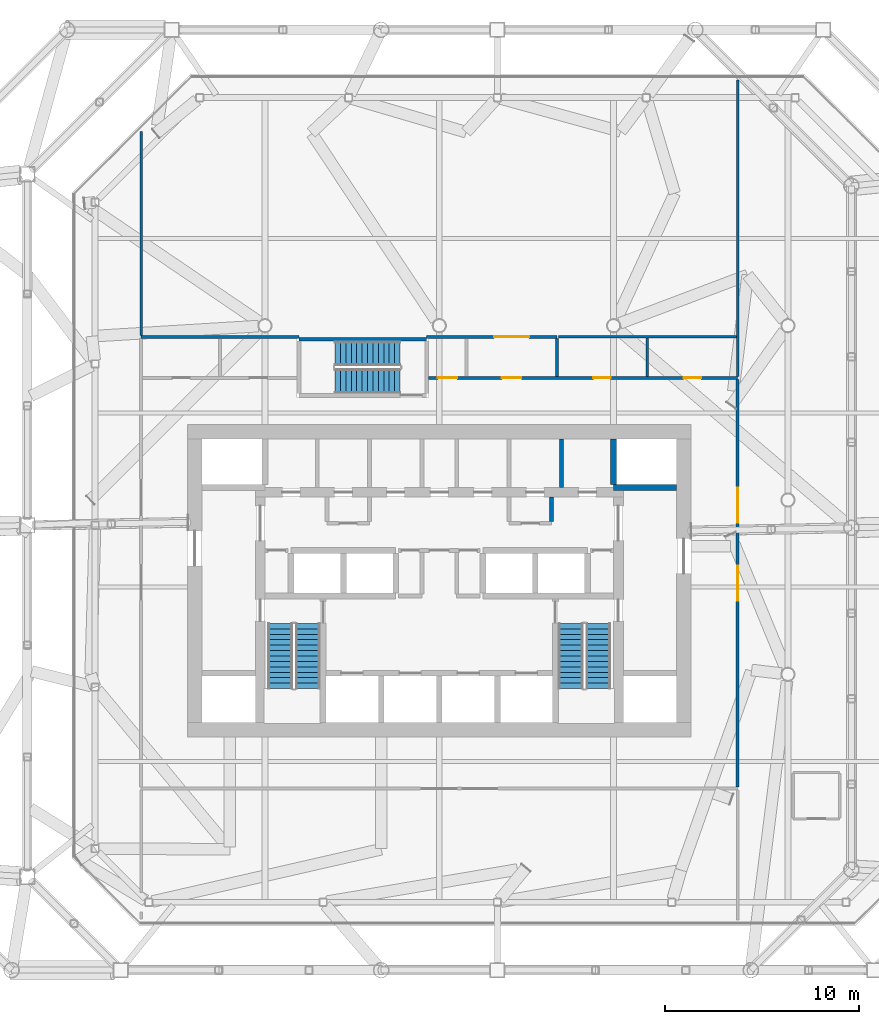
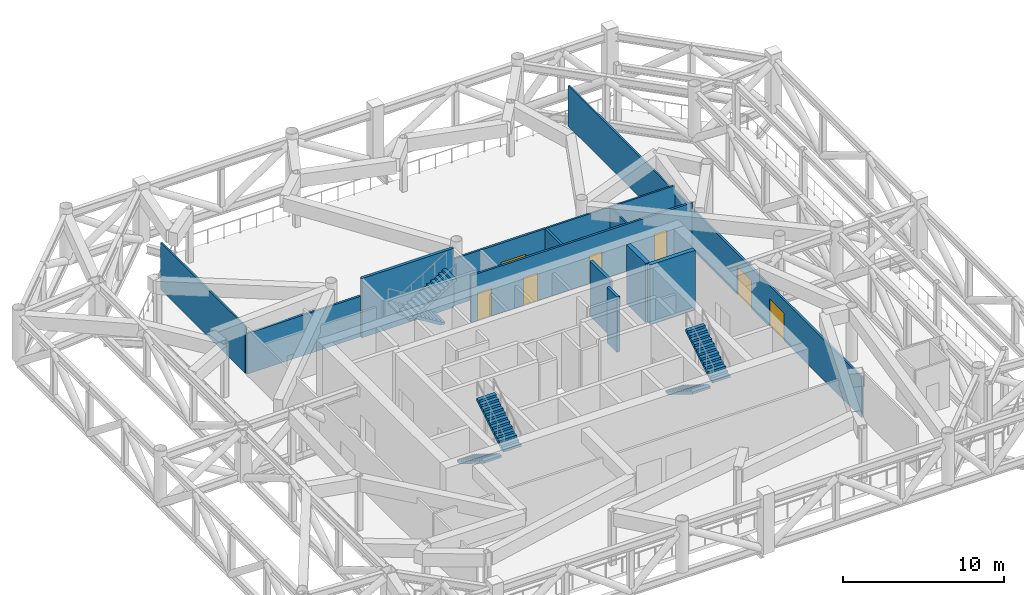
# One storey, part 15 of 21: 14 walls, 7 doors, 6 stair flights, 7 openings, 3 elements without a shape of their own.
"""IFC4 building model written with IfcOpenShell, lengths in metres."""

from ifc_helpers import new_model, si_unit, direction, frame, frame_2d, origin, place, context, subcontext, project, spatial, polyline, rectangle, outline, extrude, material, layer, layer_set, type_object, element, fill, aggregate, save


model = new_model("IFC4")

# Units and contexts
model_context = context("Model", 3, precision=1e-05, world=origin(), true_north=direction((0.0, 1.0)))
body_context = subcontext(model_context, "Body", "Model", "MODEL_VIEW")
ifc_project = project(units=[si_unit("LENGTHUNIT", "METRE"), si_unit("AREAUNIT", "SQUARE_METRE"), si_unit("VOLUMEUNIT", "CUBIC_METRE"), si_unit("PLANEANGLEUNIT", "RADIAN"), si_unit("MASSUNIT", "GRAM", prefix="KILO")], contexts=[model_context])

# Site, building, storey
site_placement = place(None, origin())
site = spatial("IfcSite", under=ifc_project, at=site_placement, CompositionType="ELEMENT")
building_placement = place(site_placement, origin())
building = spatial("IfcBuilding", under=site, at=building_placement, Name="Tskaro Facet Tower", CompositionType="ELEMENT")
storey_placement = place(building_placement, frame((0.0, 0.0, 167.699951171875)))
storey = spatial("IfcBuildingStorey", under=building, at=storey_placement, Name="L41", CompositionType="ELEMENT", Elevation=167.699951171875)

# Walls
ifc_material_1 = material(Name="Concrete C60/75", Category="concrete")
ifc_layer_1 = layer(ifc_material_1, 0.300048828125, Name="Concrete C60/75")
ifc_layer_set_1 = layer_set([ifc_layer_1], Name="Concrete C60/75")
wall_type_1 = type_object("IfcWallType", Name="CORE-SHAFT", PredefinedType="SHEAR", material=ifc_layer_set_1)
wall_1_placement = place(storey_placement, frame((12.25, 0.64990234375, 0.0), z_axis=(0.0, 0.0, 1.0), x_axis=(-1.0, 0.0, 0.0)))
element("IfcWall", 1, at=wall_1_placement, inside=storey, type_object=wall_type_1, Name="Shaft wall W019", PredefinedType="SHEAR", context=body_context, shape_type="SweptSolid", body=[
    extrude(rectangle(XDim=3.25, YDim=0.300048828125, at=frame_2d((1.625, 0.0))), origin(), (0.0, 0.0, 1.0), 4.5),
])
wall_2_placement = place(storey_placement, frame((9.0, 0.800048828125, 0.0), z_axis=(0.0, 0.0, 1.0), x_axis=(0.0, 1.0, 0.0)))
element("IfcWall", 2, at=wall_2_placement, inside=storey, type_object=wall_type_1, Name="Shaft wall W060", PredefinedType="SHEAR", context=body_context, shape_type="SweptSolid", body=[
    extrude(rectangle(XDim=2.349853515625, YDim=0.300048828125, at=frame_2d((1.1748046875, 0.0))), origin(), (0.0, 0.0, 1.0), 4.5),
])
ifc_material_2 = material(Name="Concrete C20/25", Category="concrete")
ifc_layer_2 = layer(ifc_material_2, 0.199951171875, Name="Concrete C20/25")
ifc_layer_set_2 = layer_set([ifc_layer_2], Name="Concrete C20/25")
wall_type_2 = type_object("IfcWallType", Name="CORE-WALL", PredefinedType="SOLIDWALL", material=ifc_layer_set_2)
wall_3_placement = place(storey_placement, frame((5.800048828125, -1.10009765625, 0.0), z_axis=(0.0, 0.0, 1.0), x_axis=(0.0, 1.0, 0.0)))
element("IfcWall", 3, at=wall_3_placement, inside=storey, type_object=wall_type_2, Name="Core room wall W055", PredefinedType="SOLIDWALL", context=body_context, shape_type="SweptSolid", body=[
    extrude(rectangle(XDim=1.25, YDim=0.199951171875, at=frame_2d((0.625, 0.0))), origin(), (0.0, 0.0, 1.0), 4.199951171875),
])
wall_4_placement = place(storey_placement, frame((6.300048828125, 0.64990234375, 0.0), z_axis=(0.0, 0.0, 1.0), x_axis=(0.0, 1.0, 0.0)))
element("IfcWall", 4, at=wall_4_placement, inside=storey, type_object=wall_type_2, Name="Core room wall W058", PredefinedType="SOLIDWALL", context=body_context, shape_type="SweptSolid", body=[
    extrude(rectangle(XDim=2.5, YDim=0.199951171875, at=frame_2d((1.25, 0.0))), origin(), (0.0, 0.0, 1.0), 4.199951171875),
])
ifc_material_3 = material(Name="Gypsum board on steel studs", Category="steel")
ifc_layer_3 = layer(ifc_material_3, 0.125, Name="Gypsum board on steel studs")
ifc_layer_set_3 = layer_set([ifc_layer_3], Name="Gypsum board on steel studs")
wall_type_3 = type_object("IfcWallType", Name="PART", PredefinedType="PARTITIONING", material=ifc_layer_set_3)
wall_5_placement = place(storey_placement, frame((6.14208984375, 8.425048828125, 0.0), z_axis=(0.0, 0.0, 1.0), x_axis=(1.0, 0.0, 0.0)))
element("IfcWall", 5, at=wall_5_placement, inside=storey, type_object=wall_type_3, Name="Partition W026", PredefinedType="PARTITIONING", context=body_context, shape_type="SweptSolid", body=[
    extrude(rectangle(XDim=9.1953125, YDim=0.125, at=frame_2d((4.59765625, 0.0))), origin(), (0.0, 0.0, 1.0), 3.56005859375),
])
wall_6_placement = place(storey_placement, frame((-15.39990234375, 8.5, 0.0), z_axis=(0.0, 0.0, 1.0), x_axis=(0.0, 1.0, 0.0)))
element("IfcWall", 6, at=wall_6_placement, inside=storey, type_object=wall_type_3, Name="Partition W030", PredefinedType="PARTITIONING", context=body_context, shape_type="SweptSolid", body=[
    extrude(rectangle(XDim=10.514892578125, YDim=0.125, at=frame_2d((5.25732421875, 0.0))), origin(), (0.0, 0.0, 1.0), 3.56005859375),
])
wall_7_placement = place(storey_placement, frame((10.73291015625, 6.375, 0.0), z_axis=(0.0, 0.0, 1.0), x_axis=(0.0, 1.0, 0.0)))
element("IfcWall", 7, at=wall_7_placement, inside=storey, type_object=wall_type_3, Name="Partition W061", PredefinedType="PARTITIONING", context=body_context, shape_type="SweptSolid", body=[
    extrude(rectangle(XDim=1.987548828125, YDim=0.125, at=frame_2d((0.99365234375, 0.0))), origin(), (0.0, 0.0, 1.0), 3.56005859375),
])
wall_8_placement = place(storey_placement, frame((15.39990234375, 6.375, 0.0), z_axis=(0.0, 0.0, 1.0), x_axis=(0.0, 1.0, 0.0)))
element("IfcWall", 8, at=wall_8_placement, inside=storey, type_object=wall_type_3, Name="Partition W064", PredefinedType="PARTITIONING", context=body_context, shape_type="SweptSolid", body=[
    extrude(rectangle(XDim=15.299072265625, YDim=0.125, at=frame_2d((7.6494140625, 0.0))), origin(), (0.0, 0.0, 1.0), 3.080078125),
])

# Wall, openings, doors
ifc_layer_4 = layer(ifc_material_3, 0.14990234375, Name="Gypsum board on steel studs")
ifc_layer_set_4 = layer_set([ifc_layer_4], Name="Gypsum board on steel studs")
wall_type_4 = type_object("IfcWallType", Name="PART-CORR", PredefinedType="PARTITIONING", material=ifc_layer_set_4)
wall_9_placement = place(storey_placement, frame((15.39990234375, 6.300048828125, 0.0), z_axis=(0.0, 0.0, 1.0), x_axis=(-1.0, 0.0, 0.0)))
wall_9 = element("IfcWall", 9, at=wall_9_placement, inside=storey, type_object=wall_type_4, Name="Corridor wall W022", PredefinedType="PARTITIONING", context=body_context, shape_type="SweptSolid", body=[
    extrude(rectangle(XDim=15.949951171875, YDim=0.14990234375, at=frame_2d((7.97509765625, 0.0))), origin(), (0.0, 0.0, 1.0), 3.56005859375),
])
opening_1_placement = place(wall_9_placement, frame((11.16650390625, 0.0, 0.0)))
opening_1 = element("IfcOpeningElement", 10, at=opening_1_placement, cuts=wall_9, Name="Opening R41-D32", PredefinedType="OPENING", context=body_context, shape_type="SweptSolid", body=[
    extrude(rectangle(XDim=1.0, YDim=2.10009765625, at=frame_2d((0.5, 1.050048828125))), frame((0.0, 0.0849609375, 0.0), z_axis=(0.0, -1.0, 0.0), x_axis=(1.0, 0.0, 0.0)), (0.0, 0.0, 1.0), 0.169921875),
])
opening_2_placement = place(wall_9_placement, frame((14.47509765625, 0.0, 0.0)))
opening_2 = element("IfcOpeningElement", 11, at=opening_2_placement, cuts=wall_9, Name="Opening R41-D31", PredefinedType="OPENING", context=body_context, shape_type="SweptSolid", body=[
    extrude(rectangle(XDim=1.0, YDim=2.10009765625, at=frame_2d((0.5, 1.050048828125))), frame((0.0, 0.0849609375, 0.0), z_axis=(0.0, -1.0, 0.0), x_axis=(1.0, 0.0, 0.0)), (0.0, 0.0, 1.0), 0.169921875),
])
opening_3_placement = place(wall_9_placement, frame((6.550048828125, 0.0, 0.0)))
opening_3 = element("IfcOpeningElement", 12, at=opening_3_placement, cuts=wall_9, Name="Opening R41-D33", PredefinedType="OPENING", context=body_context, shape_type="SweptSolid", body=[
    extrude(rectangle(XDim=0.89990234375, YDim=2.10009765625, at=frame_2d((0.449951171875, 1.050048828125))), frame((0.0, 0.0849609375, 0.0), z_axis=(0.0, -1.0, 0.0), x_axis=(1.0, 0.0, 0.0)), (0.0, 0.0, 1.0), 0.169921875),
])
opening_4_placement = place(wall_9_placement, frame((1.883544921875, 0.0, 0.0)))
opening_4 = element("IfcOpeningElement", 13, at=opening_4_placement, cuts=wall_9, Name="Opening R41-D34", PredefinedType="OPENING", context=body_context, shape_type="SweptSolid", body=[
    extrude(rectangle(XDim=0.89990234375, YDim=2.10009765625, at=frame_2d((0.449951171875, 1.050048828125))), frame((0.0, 0.0849609375, 0.0), z_axis=(0.0, -1.0, 0.0), x_axis=(1.0, 0.0, 0.0)), (0.0, 0.0, 1.0), 0.169921875),
])
ifc_material_4 = material(Name="Timber", Category="wood")
door_type_1 = type_object("IfcDoorType", Name="D-ENTRY", OperationType="NOTDEFINED", PredefinedType="DOOR", material=ifc_material_4)
door_1_placement = place(opening_1_placement, origin())
door_1 = element("IfcDoor", 14, at=door_1_placement, inside=storey, type_object=door_type_1, Name="Door R41-D32", OperationType="SINGLE_SWING_RIGHT", OverallHeight=2.10009765625, OverallWidth=1.0, PredefinedType="DOOR", context=body_context, shape_type="SweptSolid", body=[
    extrude(rectangle(XDim=1.0, YDim=2.10009765625, at=frame_2d((0.5, 1.050048828125))), frame((0.0, 0.02490234375, 0.0), z_axis=(0.0, -1.0, 0.0), x_axis=(1.0, 0.0, 0.0)), (0.0, 0.0, 1.0), 0.050048828125),
])
fill(opening_1, door_1)
door_type_2 = type_object("IfcDoorType", Name="D-ROOM", OperationType="NOTDEFINED", PredefinedType="DOOR", material=ifc_material_4)
door_2_placement = place(opening_3_placement, origin())
door_2 = element("IfcDoor", 15, at=door_2_placement, inside=storey, type_object=door_type_2, Name="Door R41-D33", OperationType="SINGLE_SWING_RIGHT", OverallHeight=2.10009765625, OverallWidth=0.89990234375, PredefinedType="DOOR", context=body_context, shape_type="SweptSolid", body=[
    extrude(rectangle(XDim=0.89990234375, YDim=2.10009765625, at=frame_2d((0.449951171875, 1.050048828125))), frame((0.0, 0.02490234375, 0.0), z_axis=(0.0, -1.0, 0.0), x_axis=(1.0, 0.0, 0.0)), (0.0, 0.0, 1.0), 0.050048828125),
])
fill(opening_3, door_2)
door_3_placement = place(opening_4_placement, origin())
door_3 = element("IfcDoor", 16, at=door_3_placement, inside=storey, type_object=door_type_2, Name="Door R41-D34", OperationType="SINGLE_SWING_RIGHT", OverallHeight=2.10009765625, OverallWidth=0.89990234375, PredefinedType="DOOR", context=body_context, shape_type="SweptSolid", body=[
    extrude(rectangle(XDim=0.89990234375, YDim=2.10009765625, at=frame_2d((0.449951171875, 1.050048828125))), frame((0.0, 0.02490234375, 0.0), z_axis=(0.0, -1.0, 0.0), x_axis=(1.0, 0.0, 0.0)), (0.0, 0.0, 1.0), 0.050048828125),
])
fill(opening_4, door_3)
door_type_3 = type_object("IfcDoorType", Name="D-ROOM-WIDE", OperationType="NOTDEFINED", PredefinedType="DOOR", material=ifc_material_4)
door_4_placement = place(opening_2_placement, origin())
door_4 = element("IfcDoor", 17, at=door_4_placement, inside=storey, type_object=door_type_3, Name="Door R41-D31", OperationType="SINGLE_SWING_RIGHT", OverallHeight=2.10009765625, OverallWidth=1.0, PredefinedType="DOOR", context=body_context, shape_type="SweptSolid", body=[
    extrude(rectangle(XDim=1.0, YDim=2.10009765625, at=frame_2d((0.5, 1.050048828125))), frame((0.0, 0.02490234375, 0.0), z_axis=(0.0, -1.0, 0.0), x_axis=(1.0, 0.0, 0.0)), (0.0, 0.0, 1.0), 0.050048828125),
])
fill(opening_2, door_4)

# Wall
wall_10_placement = place(storey_placement, frame((-15.39990234375, 8.425048828125, 0.0), z_axis=(0.0, 0.0, 1.0), x_axis=(1.0, 0.0, 0.0)))
element("IfcWall", 18, at=wall_10_placement, inside=storey, type_object=wall_type_4, Name="Corridor wall W024", PredefinedType="PARTITIONING", context=body_context, shape_type="SweptSolid", body=[
    extrude(rectangle(XDim=8.14990234375, YDim=0.14990234375, at=frame_2d((4.074951171875, 0.0))), origin(), (0.0, 0.0, 1.0), 3.080078125),
])

# Wall, opening, door
wall_11_placement = place(storey_placement, frame((-0.64990234375, 8.425048828125, 0.0), z_axis=(0.0, 0.0, 1.0), x_axis=(1.0, 0.0, 0.0)))
wall_11 = element("IfcWall", 19, at=wall_11_placement, inside=storey, type_object=wall_type_4, Name="Corridor wall W025", PredefinedType="PARTITIONING", context=body_context, shape_type="SweptSolid", body=[
    extrude(rectangle(XDim=6.716796875, YDim=0.14990234375, at=frame_2d((3.3583984375, 0.0))), origin(), (0.0, 0.0, 1.0), 3.56005859375),
])
opening_5_placement = place(wall_11_placement, frame((3.4833984375, 0.0, 0.0)))
opening_5 = element("IfcOpeningElement", 20, at=opening_5_placement, cuts=wall_11, Name="Opening R41-D35", PredefinedType="OPENING", context=body_context, shape_type="SweptSolid", body=[
    extrude(rectangle(XDim=1.800048828125, YDim=2.10009765625, at=frame_2d((0.89990234375, 1.050048828125))), frame((0.0, 0.0849609375, 0.0), z_axis=(0.0, -1.0, 0.0), x_axis=(1.0, 0.0, 0.0)), (0.0, 0.0, 1.0), 0.169921875),
])
ifc_material_5 = material(Name="Glass", Category="glass")
door_type_4 = type_object("IfcDoorType", Name="D-ENTRY-PAIR", OperationType="NOTDEFINED", PredefinedType="DOOR", material=ifc_material_5)
door_5_placement = place(opening_5_placement, origin())
door_5 = element("IfcDoor", 21, at=door_5_placement, inside=storey, type_object=door_type_4, Name="Door R41-D35", OperationType="DOUBLE_DOOR_SINGLE_SWING", OverallHeight=2.10009765625, OverallWidth=1.800048828125, PredefinedType="DOOR", context=body_context, shape_type="SweptSolid", body=[
    extrude(rectangle(XDim=1.800048828125, YDim=2.10009765625, at=frame_2d((0.89990234375, 1.050048828125))), frame((0.0, 0.02490234375, 0.0), z_axis=(0.0, -1.0, 0.0), x_axis=(1.0, 0.0, 0.0)), (0.0, 0.0, 1.0), 0.050048828125),
])
fill(opening_5, door_5)

# Wall
wall_12_placement = place(storey_placement, frame((6.06689453125, 6.375, 0.0), z_axis=(0.0, 0.0, 1.0), x_axis=(0.0, 1.0, 0.0)))
element("IfcWall", 22, at=wall_12_placement, inside=storey, type_object=wall_type_4, Name="Corridor wall W057", PredefinedType="PARTITIONING", context=body_context, shape_type="SweptSolid", body=[
    extrude(rectangle(XDim=1.97509765625, YDim=0.14990234375, at=frame_2d((0.987548828125, 0.0))), origin(), (0.0, 0.0, 1.0), 3.56005859375),
])

# Wall, openings, doors
wall_13_placement = place(storey_placement, frame((15.39990234375, -14.824951171875, 0.0), z_axis=(0.0, 0.0, 1.0), x_axis=(0.0, 1.0, 0.0)))
wall_13 = element("IfcWall", 23, at=wall_13_placement, inside=storey, type_object=wall_type_4, Name="Corridor wall W063", PredefinedType="PARTITIONING", context=body_context, shape_type="SweptSolid", body=[
    extrude(rectangle(XDim=21.050048828125, YDim=0.14990234375, at=frame_2d((10.52490234375, 0.0))), origin(), (0.0, 0.0, 1.0), 3.080078125),
])
opening_6_placement = place(wall_13_placement, frame((9.625, 0.0, 0.0)))
opening_6 = element("IfcOpeningElement", 24, at=opening_6_placement, cuts=wall_13, Name="Opening R41-D06", PredefinedType="OPENING", context=body_context, shape_type="SweptSolid", body=[
    extrude(rectangle(XDim=1.800048828125, YDim=2.10009765625, at=frame_2d((0.89990234375, 1.050048828125))), frame((0.0, 0.0849609375, 0.0), z_axis=(0.0, -1.0, 0.0), x_axis=(1.0, 0.0, 0.0)), (0.0, 0.0, 1.0), 0.169921875),
])
opening_7_placement = place(wall_13_placement, frame((13.64990234375, 0.0, 0.0)))
opening_7 = element("IfcOpeningElement", 25, at=opening_7_placement, cuts=wall_13, Name="Opening R41-D12", PredefinedType="OPENING", context=body_context, shape_type="SweptSolid", body=[
    extrude(rectangle(XDim=1.800048828125, YDim=2.10009765625, at=frame_2d((0.89990234375, 1.050048828125))), frame((0.0, 0.0849609375, 0.0), z_axis=(0.0, -1.0, 0.0), x_axis=(1.0, 0.0, 0.0)), (0.0, 0.0, 1.0), 0.169921875),
])
door_6_placement = place(opening_6_placement, origin())
door_6 = element("IfcDoor", 26, at=door_6_placement, inside=storey, type_object=door_type_4, Name="Door R41-D06", OperationType="DOUBLE_DOOR_SINGLE_SWING", OverallHeight=2.10009765625, OverallWidth=1.800048828125, PredefinedType="DOOR", context=body_context, shape_type="SweptSolid", body=[
    extrude(rectangle(XDim=1.800048828125, YDim=2.10009765625, at=frame_2d((0.89990234375, 1.050048828125))), frame((0.0, 0.02490234375, 0.0), z_axis=(0.0, -1.0, 0.0), x_axis=(1.0, 0.0, 0.0)), (0.0, 0.0, 1.0), 0.050048828125),
])
fill(opening_6, door_6)
door_7_placement = place(opening_7_placement, origin())
door_7 = element("IfcDoor", 27, at=door_7_placement, inside=storey, type_object=door_type_4, Name="Door R41-D12", OperationType="DOUBLE_DOOR_SINGLE_SWING", OverallHeight=2.10009765625, OverallWidth=1.800048828125, PredefinedType="DOOR", context=body_context, shape_type="SweptSolid", body=[
    extrude(rectangle(XDim=1.800048828125, YDim=2.10009765625, at=frame_2d((0.89990234375, 1.050048828125))), frame((0.0, 0.02490234375, 0.0), z_axis=(0.0, -1.0, 0.0), x_axis=(1.0, 0.0, 0.0)), (0.0, 0.0, 1.0), 0.050048828125),
])
fill(opening_7, door_7)

# Wall
ifc_layer_5 = layer(ifc_material_1, 0.199951171875, Name="Concrete C60/75")
ifc_layer_set_5 = layer_set([ifc_layer_5], Name="Concrete C60/75")
wall_type_5 = type_object("IfcWallType", Name="STAIR-WALL", PredefinedType="SHEAR", material=ifc_layer_set_5)
wall_14_placement = place(storey_placement, frame((-7.25, 8.300048828125, 0.0), z_axis=(0.0, 0.0, 1.0), x_axis=(1.0, 0.0, 0.0)))
element("IfcWall", 28, at=wall_14_placement, inside=storey, type_object=wall_type_5, Name="Stair wall W023", PredefinedType="SHEAR", context=body_context, shape_type="SweptSolid", body=[
    extrude(rectangle(XDim=6.60009765625, YDim=0.199951171875, at=frame_2d((3.300048828125, 0.0))), origin(), (0.0, 0.0, 1.0), 4.5),
])

# Stair, stair flights
ifc_material_6 = material(Name="Concrete C40/50", Category="concrete")
stair_type = type_object("IfcStairType", Name="ST-TWR", PredefinedType="HALF_TURN_STAIR", material=ifc_material_6)
stair_1_placement = place(storey_placement, origin())
stair_1 = element("IfcStair", 29, at=stair_1_placement, inside=storey, type_object=stair_type, Name="L41 Exit stair 1", PredefinedType="HALF_TURN_STAIR")
stair_flight_type = type_object("IfcStairFlightType", Name="SFL-RC", PredefinedType="STRAIGHT", material=ifc_material_6)
stair_flight_1_placement = place(storey_placement, frame((-8.21240234375, -6.375, 0.0), z_axis=(0.0, 0.0, 1.0), x_axis=(0.0, -1.0, 0.0)))
stair_flight_1 = element("IfcStairFlight", 30, at=stair_flight_1_placement, type_object=stair_flight_type, Name="ST-1 flight 1", NumberOfRisers=13, NumberOfTreads=12, PredefinedType="STRAIGHT", RiserHeight=0.173076923, TreadLength=0.28, context=body_context, shape_type="SweptSolid", body=[
    extrude(outline(polyline([(0.0, 0.0), (0.0, 0.173095703125), (0.280029296875, 0.173095703125), (0.280029296875, 0.34619140625), (0.56005859375, 0.34619140625), (0.56005859375, 0.519287109375), (0.840087890625, 0.519287109375), (0.840087890625, 0.6923828125), (1.1201171875, 0.6923828125), (1.1201171875, 0.865478515625), (1.39990234375, 0.865478515625), (1.39990234375, 1.03857421875), (1.679931640625, 1.03857421875), (1.679931640625, 1.21142578125), (1.9599609375, 1.21142578125), (1.9599609375, 1.384521484375), (2.239990234375, 1.384521484375), (2.239990234375, 1.5576171875), (2.52001953125, 1.5576171875), (2.52001953125, 1.730712890625), (2.800048828125, 1.730712890625), (2.800048828125, 1.90380859375), (3.080078125, 1.90380859375), (3.080078125, 2.076904296875), (3.360107421875, 2.076904296875), (3.360107421875, 2.25), (3.360107421875, 1.900634765625), (0.28515625, 0.0), (0.0, 0.0)])), frame((0.0, 0.637451171875, 0.0), z_axis=(0.0, -1.0, 0.0), x_axis=(1.0, 0.0, 0.0)), (0.0, 0.0, 1.0), 1.27490234375),
])
stair_flight_2_placement = place(storey_placement, frame((-6.78759765625, -9.735107421875, 2.25), z_axis=(0.0, 0.0, 1.0), x_axis=(0.0, 1.0, 0.0)))
stair_flight_2 = element("IfcStairFlight", 31, at=stair_flight_2_placement, type_object=stair_flight_type, Name="ST-1 flight 2", NumberOfRisers=13, NumberOfTreads=12, PredefinedType="STRAIGHT", RiserHeight=0.173076923, TreadLength=0.28, context=body_context, shape_type="SweptSolid", body=[
    extrude(outline(polyline([(0.0, 0.0), (0.0, 0.173095703125), (0.280029296875, 0.173095703125), (0.280029296875, 0.34619140625), (0.56005859375, 0.34619140625), (0.56005859375, 0.519287109375), (0.840087890625, 0.519287109375), (0.840087890625, 0.6923828125), (1.1201171875, 0.6923828125), (1.1201171875, 0.865478515625), (1.39990234375, 0.865478515625), (1.39990234375, 1.03857421875), (1.679931640625, 1.03857421875), (1.679931640625, 1.21142578125), (1.9599609375, 1.21142578125), (1.9599609375, 1.384521484375), (2.239990234375, 1.384521484375), (2.239990234375, 1.5576171875), (2.52001953125, 1.5576171875), (2.52001953125, 1.730712890625), (2.800048828125, 1.730712890625), (2.800048828125, 1.90380859375), (3.080078125, 1.90380859375), (3.080078125, 2.076904296875), (3.360107421875, 2.076904296875), (3.360107421875, 2.25), (3.360107421875, 1.900634765625), (0.28515625, 0.0), (0.0, 0.0)])), frame((0.0, 0.637451171875, 0.0), z_axis=(0.0, -1.0, 0.0), x_axis=(1.0, 0.0, 0.0)), (0.0, 0.0, 1.0), 1.27490234375),
])
aggregate(stair_1, [stair_flight_1, stair_flight_2])

stair_2_placement = place(storey_placement, origin())
stair_2 = element("IfcStair", 32, at=stair_2_placement, inside=storey, type_object=stair_type, Name="L41 Exit stair 2", PredefinedType="HALF_TURN_STAIR")
stair_flight_3_placement = place(storey_placement, frame((6.78759765625, -6.375, 0.0), z_axis=(0.0, 0.0, 1.0), x_axis=(0.0, -1.0, 0.0)))
stair_flight_3 = element("IfcStairFlight", 33, at=stair_flight_3_placement, type_object=stair_flight_type, Name="ST-2 flight 1", NumberOfRisers=13, NumberOfTreads=12, PredefinedType="STRAIGHT", RiserHeight=0.173076923, TreadLength=0.28, context=body_context, shape_type="SweptSolid", body=[
    extrude(outline(polyline([(0.0, 0.0), (0.0, 0.173095703125), (0.280029296875, 0.173095703125), (0.280029296875, 0.34619140625), (0.56005859375, 0.34619140625), (0.56005859375, 0.519287109375), (0.840087890625, 0.519287109375), (0.840087890625, 0.6923828125), (1.1201171875, 0.6923828125), (1.1201171875, 0.865478515625), (1.39990234375, 0.865478515625), (1.39990234375, 1.03857421875), (1.679931640625, 1.03857421875), (1.679931640625, 1.21142578125), (1.9599609375, 1.21142578125), (1.9599609375, 1.384521484375), (2.239990234375, 1.384521484375), (2.239990234375, 1.5576171875), (2.52001953125, 1.5576171875), (2.52001953125, 1.730712890625), (2.800048828125, 1.730712890625), (2.800048828125, 1.90380859375), (3.080078125, 1.90380859375), (3.080078125, 2.076904296875), (3.360107421875, 2.076904296875), (3.360107421875, 2.25), (3.360107421875, 1.900634765625), (0.28515625, 0.0), (0.0, 0.0)])), frame((0.0, 0.637451171875, 0.0), z_axis=(0.0, -1.0, 0.0), x_axis=(1.0, 0.0, 0.0)), (0.0, 0.0, 1.0), 1.27490234375),
])
stair_flight_4_placement = place(storey_placement, frame((8.21240234375, -9.735107421875, 2.25), z_axis=(0.0, 0.0, 1.0), x_axis=(0.0, 1.0, 0.0)))
stair_flight_4 = element("IfcStairFlight", 34, at=stair_flight_4_placement, type_object=stair_flight_type, Name="ST-2 flight 2", NumberOfRisers=13, NumberOfTreads=12, PredefinedType="STRAIGHT", RiserHeight=0.173076923, TreadLength=0.28, context=body_context, shape_type="SweptSolid", body=[
    extrude(outline(polyline([(0.0, 0.0), (0.0, 0.173095703125), (0.280029296875, 0.173095703125), (0.280029296875, 0.34619140625), (0.56005859375, 0.34619140625), (0.56005859375, 0.519287109375), (0.840087890625, 0.519287109375), (0.840087890625, 0.6923828125), (1.1201171875, 0.6923828125), (1.1201171875, 0.865478515625), (1.39990234375, 0.865478515625), (1.39990234375, 1.03857421875), (1.679931640625, 1.03857421875), (1.679931640625, 1.21142578125), (1.9599609375, 1.21142578125), (1.9599609375, 1.384521484375), (2.239990234375, 1.384521484375), (2.239990234375, 1.5576171875), (2.52001953125, 1.5576171875), (2.52001953125, 1.730712890625), (2.800048828125, 1.730712890625), (2.800048828125, 1.90380859375), (3.080078125, 1.90380859375), (3.080078125, 2.076904296875), (3.360107421875, 2.076904296875), (3.360107421875, 2.25), (3.360107421875, 1.900634765625), (0.28515625, 0.0), (0.0, 0.0)])), frame((0.0, 0.637451171875, 0.0), z_axis=(0.0, -1.0, 0.0), x_axis=(1.0, 0.0, 0.0)), (0.0, 0.0, 1.0), 1.27490234375),
])
aggregate(stair_2, [stair_flight_3, stair_flight_4])

stair_3_placement = place(storey_placement, origin())
stair_3 = element("IfcStair", 35, at=stair_3_placement, inside=storey, type_object=stair_type, Name="L41 Exit stair 3", PredefinedType="HALF_TURN_STAIR")
stair_flight_5_placement = place(storey_placement, frame((-2.02490234375, 7.5625, 0.0), z_axis=(0.0, 0.0, 1.0), x_axis=(-1.0, 0.0, 0.0)))
stair_flight_5 = element("IfcStairFlight", 36, at=stair_flight_5_placement, type_object=stair_flight_type, Name="ST-3 flight 1", NumberOfRisers=13, NumberOfTreads=12, PredefinedType="STRAIGHT", RiserHeight=0.173076923, TreadLength=0.28, context=body_context, shape_type="SweptSolid", body=[
    extrude(outline(polyline([(0.0, 0.0), (0.0, 0.173095703125), (0.280029296875, 0.173095703125), (0.280029296875, 0.34619140625), (0.56005859375, 0.34619140625), (0.56005859375, 0.519287109375), (0.840087890625, 0.519287109375), (0.840087890625, 0.6923828125), (1.1201171875, 0.6923828125), (1.1201171875, 0.865478515625), (1.39990234375, 0.865478515625), (1.39990234375, 1.03857421875), (1.679931640625, 1.03857421875), (1.679931640625, 1.21142578125), (1.9599609375, 1.21142578125), (1.9599609375, 1.384521484375), (2.239990234375, 1.384521484375), (2.239990234375, 1.5576171875), (2.52001953125, 1.5576171875), (2.52001953125, 1.730712890625), (2.800048828125, 1.730712890625), (2.800048828125, 1.90380859375), (3.080078125, 1.90380859375), (3.080078125, 2.076904296875), (3.360107421875, 2.076904296875), (3.360107421875, 2.25), (3.360107421875, 1.900634765625), (0.28515625, 0.0), (0.0, 0.0)])), frame((0.0, 0.637451171875, 0.0), z_axis=(0.0, -1.0, 0.0), x_axis=(1.0, 0.0, 0.0)), (0.0, 0.0, 1.0), 1.27490234375),
])
stair_flight_6_placement = place(storey_placement, frame((-5.385009765625, 6.137451171875, 2.25), z_axis=(0.0, 0.0, 1.0), x_axis=(1.0, 0.0, 0.0)))
stair_flight_6 = element("IfcStairFlight", 37, at=stair_flight_6_placement, type_object=stair_flight_type, Name="ST-3 flight 2", NumberOfRisers=13, NumberOfTreads=12, PredefinedType="STRAIGHT", RiserHeight=0.173076923, TreadLength=0.28, context=body_context, shape_type="SweptSolid", body=[
    extrude(outline(polyline([(0.0, 0.0), (0.0, 0.173095703125), (0.280029296875, 0.173095703125), (0.280029296875, 0.34619140625), (0.56005859375, 0.34619140625), (0.56005859375, 0.519287109375), (0.840087890625, 0.519287109375), (0.840087890625, 0.6923828125), (1.1201171875, 0.6923828125), (1.1201171875, 0.865478515625), (1.39990234375, 0.865478515625), (1.39990234375, 1.03857421875), (1.679931640625, 1.03857421875), (1.679931640625, 1.21142578125), (1.9599609375, 1.21142578125), (1.9599609375, 1.384521484375), (2.239990234375, 1.384521484375), (2.239990234375, 1.5576171875), (2.52001953125, 1.5576171875), (2.52001953125, 1.730712890625), (2.800048828125, 1.730712890625), (2.800048828125, 1.90380859375), (3.080078125, 1.90380859375), (3.080078125, 2.076904296875), (3.360107421875, 2.076904296875), (3.360107421875, 2.25), (3.360107421875, 1.900634765625), (0.28515625, 0.0), (0.0, 0.0)])), frame((0.0, 0.637451171875, 0.0), z_axis=(0.0, -1.0, 0.0), x_axis=(1.0, 0.0, 0.0)), (0.0, 0.0, 1.0), 1.27490234375),
])
aggregate(stair_3, [stair_flight_5, stair_flight_6])

save(model, "model.ifc")
